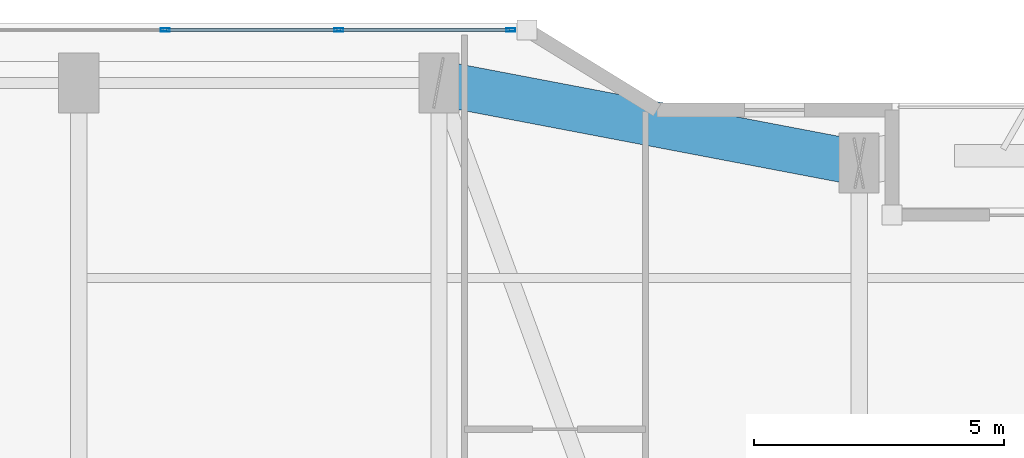
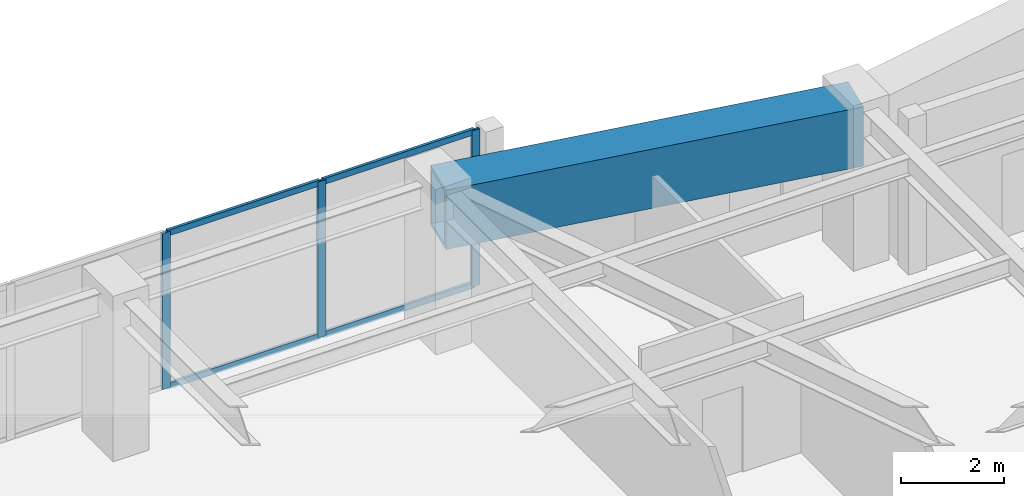
# One storey, part 19 of 31: 7 members, 1 beam, 1 element without a shape of its own.
"""IFC4 building model written with IfcOpenShell, lengths in metres."""

from ifc_helpers import new_model, si_unit, direction, frame, origin, origin_2d, place, context, subcontext, project, spatial, hollow_rectangle, extrude, material, layer, layer_set, material_profile, profile_set, type_object, element, aggregate, save


model = new_model("IFC4")

# Units and contexts
model_context = context("Model", 3, precision=1e-05, world=origin(), true_north=direction((0.0, 1.0)))
body_context = subcontext(model_context, "Body", "Model", "MODEL_VIEW")
ifc_project = project(units=[si_unit("LENGTHUNIT", "METRE"), si_unit("AREAUNIT", "SQUARE_METRE"), si_unit("VOLUMEUNIT", "CUBIC_METRE"), si_unit("PLANEANGLEUNIT", "RADIAN"), si_unit("MASSUNIT", "GRAM", prefix="KILO")], contexts=[model_context])

# Site, building, storey
site_placement = place(None, origin())
site = spatial("IfcSite", under=ifc_project, at=site_placement, CompositionType="ELEMENT")
building_placement = place(site_placement, origin())
building = spatial("IfcBuilding", under=site, at=building_placement, Name="Kiyonajd Concourse Tower", CompositionType="ELEMENT")
storey_placement = place(building_placement, frame((0.0, 0.0, 158.39990234375)))
storey = spatial("IfcBuildingStorey", under=building, at=storey_placement, Name="L40", CompositionType="ELEMENT", Elevation=158.39990234375)

# Beam
ifc_material_1 = material(Name="Steel ASTM A572 Grade 50", Category="steel")
ifc_material_profile_1 = material_profile(ifc_material_1, hollow_rectangle(XDim=0.89990234375, YDim=1.39990234375, WallThickness=0.070068359375, at=origin_2d()), Name="BOX-1400x900x70")
ifc_profile_set_1 = profile_set([ifc_material_profile_1], Name="Steel ASTM A572 Grade 50")
beam_type = type_object("IfcBeamType", Name="BM-XFER-1400", PredefinedType="BEAM", material=ifc_profile_set_1)
beam_placement = place(storey_placement, frame((48.0, 59.60009765625, 2.97998046875), z_axis=(-0.982341315253, 0.187097675953, 0.0), x_axis=(-0.187097675953, -0.982341315253, 0.0)))
element("IfcBeam", 1, at=beam_placement, inside=storey, type_object=beam_type, Name="L40 Perimeter Bundled Tube Spandrel", PredefinedType="BEAM", context=body_context, shape_type="SweptSolid", body=[
    extrude(hollow_rectangle(XDim=0.89990234375, YDim=1.39990234375, WallThickness=0.070068359375, at=origin_2d()), origin(), (0.0, 0.0, 1.0), 8.55078125),
])

# Curtain wall, members
ifc_material_2 = material(Name="Thermally Broken Anodised Aluminium", Category="aluminium")
ifc_layer = layer(ifc_material_2, 0.179931640625)
ifc_layer_set = layer_set([ifc_layer], Name="Thermally Broken Anodised Aluminium")
curtain_wall_type = type_object("IfcCurtainWallType", Name="CW-SYS-03", PredefinedType="NOTDEFINED", material=ifc_layer_set)
curtain_wall_placement = place(storey_placement, origin())
curtain_wall = element("IfcCurtainWall", 2, at=curtain_wall_placement, inside=storey, type_object=curtain_wall_type, Name="L40 Unitised Curtain Wall CW3", PredefinedType="NOTDEFINED")
ifc_material_profile_2 = material_profile(ifc_material_2, hollow_rectangle(XDim=0.06494140625, YDim=0.179931640625, WallThickness=0.00390625, at=origin_2d()), Name="MULL-65x180")
ifc_profile_set_2 = profile_set([ifc_material_profile_2], Name="Thermally Broken Anodised Aluminium")
member_type_1 = type_object("IfcMemberType", Name="MB-CW-MULL1", PredefinedType="MULLION", material=ifc_profile_set_2)
member_1_placement = place(storey_placement, frame((34.12548828125, 62.260009765625, 0.0), z_axis=(0.0, 0.0, 1.0), x_axis=(0.0, 1.0, 0.0)))
member_1 = element("IfcMember", 3, at=member_1_placement, type_object=member_type_1, Name="CW3 mullion 4", PredefinedType="MULLION", context=body_context, shape_type="SweptSolid", body=[
    extrude(hollow_rectangle(XDim=0.06494140625, YDim=0.179931640625, WallThickness=0.00390625, at=origin_2d()), origin(), (0.0, 0.0, 1.0), 3.68017578125),
])
member_2_placement = place(storey_placement, frame((37.597900390625, 62.260009765625, 0.0), z_axis=(0.0, 0.0, 1.0), x_axis=(0.0, 1.0, 0.0)))
member_2 = element("IfcMember", 4, at=member_2_placement, type_object=member_type_1, Name="CW3 mullion 5", PredefinedType="MULLION", context=body_context, shape_type="SweptSolid", body=[
    extrude(hollow_rectangle(XDim=0.06494140625, YDim=0.179931640625, WallThickness=0.00390625, at=origin_2d()), origin(), (0.0, 0.0, 1.0), 3.68017578125),
])
member_3_placement = place(storey_placement, frame((41.037841796875, 62.260009765625, 0.0), z_axis=(0.0, 0.0, 1.0), x_axis=(0.0, 1.0, 0.0)))
member_3 = element("IfcMember", 5, at=member_3_placement, type_object=member_type_1, Name="CW3 mullion 6", PredefinedType="MULLION", context=body_context, shape_type="SweptSolid", body=[
    extrude(hollow_rectangle(XDim=0.06494140625, YDim=0.179931640625, WallThickness=0.00390625, at=origin_2d()), origin(), (0.0, 0.0, 1.0), 3.68017578125),
])
ifc_material_profile_3 = material_profile(ifc_material_2, hollow_rectangle(XDim=0.06494140625, YDim=0.139892578125, WallThickness=0.00390625, at=origin_2d()), Name="TRAN-65x140")
ifc_profile_set_3 = profile_set([ifc_material_profile_3], Name="Thermally Broken Anodised Aluminium")
member_type_2 = type_object("IfcMemberType", Name="MB-CW-TRAN1", PredefinedType="USERDEFINED", material=ifc_profile_set_3)
member_4_placement = place(storey_placement, frame((34.158203125, 62.260009765625, 0.03271484375), z_axis=(1.0, 0.0, 0.0), x_axis=(0.0, 1.0, 0.0)))
member_4 = element("IfcMember", 6, at=member_4_placement, type_object=member_type_2, Name="CW3 transom 4.1", ObjectType="TRANSOM", PredefinedType="USERDEFINED", context=body_context, shape_type="SweptSolid", body=[
    extrude(hollow_rectangle(XDim=0.06494140625, YDim=0.139892578125, WallThickness=0.00390625, at=origin_2d()), origin(), (0.0, 0.0, 1.0), 3.4072265625),
])
member_5_placement = place(storey_placement, frame((34.158203125, 62.260009765625, 3.647705078125), z_axis=(1.0, 0.0, 0.0), x_axis=(0.0, 1.0, 0.0)))
member_5 = element("IfcMember", 7, at=member_5_placement, type_object=member_type_2, Name="CW3 transom 4.2", ObjectType="TRANSOM", PredefinedType="USERDEFINED", context=body_context, shape_type="SweptSolid", body=[
    extrude(hollow_rectangle(XDim=0.06494140625, YDim=0.139892578125, WallThickness=0.00390625, at=origin_2d()), origin(), (0.0, 0.0, 1.0), 3.4072265625),
])
member_6_placement = place(storey_placement, frame((37.630615234375, 62.260009765625, 0.03271484375), z_axis=(1.0, 0.0, 0.0), x_axis=(0.0, 1.0, 0.0)))
member_6 = element("IfcMember", 8, at=member_6_placement, type_object=member_type_2, Name="CW3 transom 5.1", ObjectType="TRANSOM", PredefinedType="USERDEFINED", context=body_context, shape_type="SweptSolid", body=[
    extrude(hollow_rectangle(XDim=0.06494140625, YDim=0.139892578125, WallThickness=0.00390625, at=origin_2d()), origin(), (0.0, 0.0, 1.0), 3.374755859375),
])
member_7_placement = place(storey_placement, frame((37.630615234375, 62.260009765625, 3.647705078125), z_axis=(1.0, 0.0, 0.0), x_axis=(0.0, 1.0, 0.0)))
member_7 = element("IfcMember", 9, at=member_7_placement, type_object=member_type_2, Name="CW3 transom 5.2", ObjectType="TRANSOM", PredefinedType="USERDEFINED", context=body_context, shape_type="SweptSolid", body=[
    extrude(hollow_rectangle(XDim=0.06494140625, YDim=0.139892578125, WallThickness=0.00390625, at=origin_2d()), origin(), (0.0, 0.0, 1.0), 3.374755859375),
])
aggregate(curtain_wall, [member_1, member_2, member_3, member_4, member_5, member_6, member_7])

save(model, "model.ifc")
